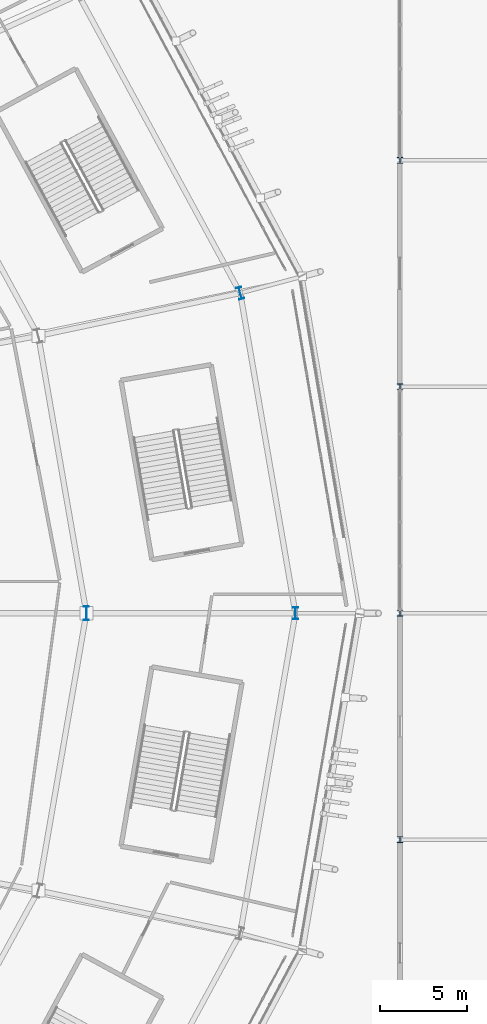
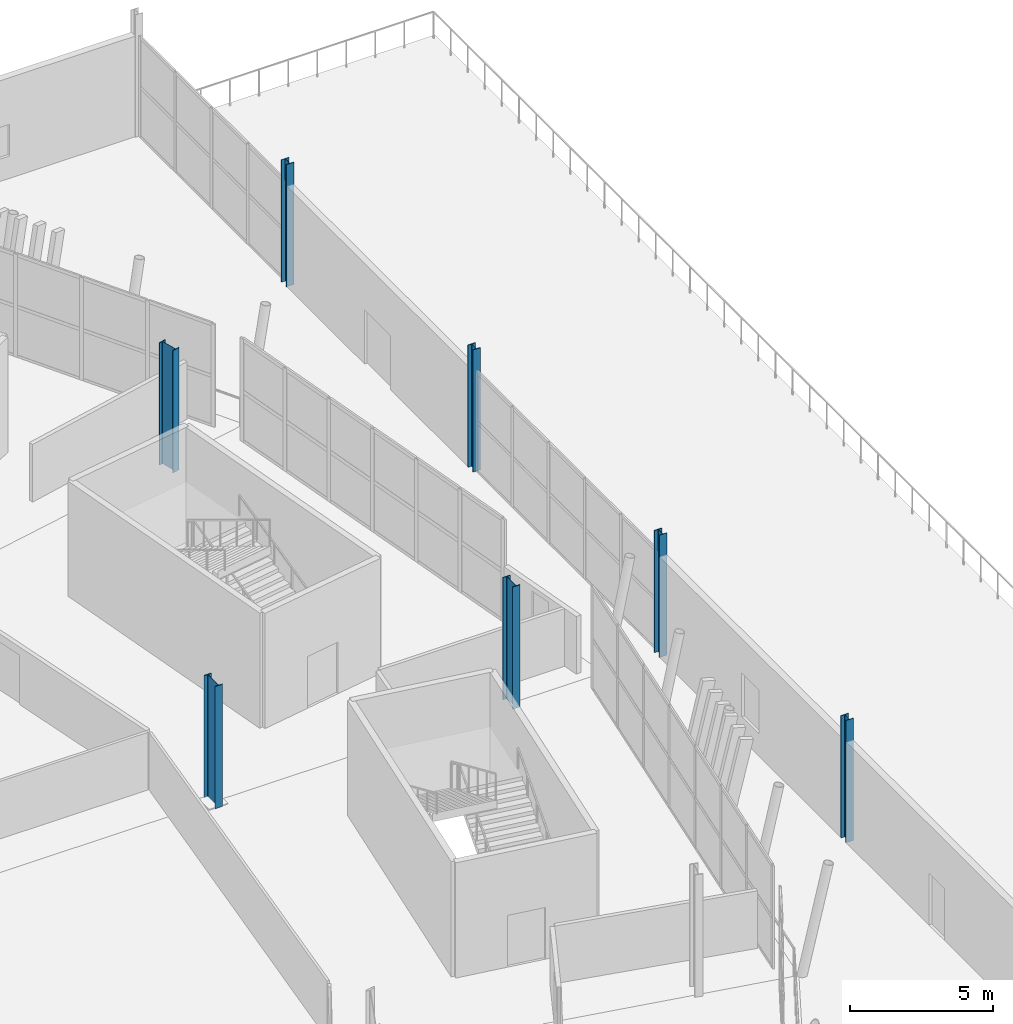
# One storey, part 14 of 168: 7 columns.
"""IFC4 building model written with IfcOpenShell, lengths in metres."""

import ifcopenshell
import ifcopenshell.guid

model = None  # the IFC model being written
_history = None  # IfcOwnerHistory: only IFC2X3 demands one
_inside = {}  # id of a spatial element -> (the spatial element, [elements in it])
_under = {}  # id of a project, library or spatial element -> (it, [spatial elements below it])
_declared = {}  # id of a project -> (the project, [libraries it declares])
_typed = {}  # id of a type object -> (the type object, [elements of that type])
_made_of = {}  # id of a material, layer set ... -> (it, [elements and type objects made of it])


def new_model(schema):
    """Start an empty IFC model of exactly this schema.

    Asked for "IFC4X3", IfcOpenShell would pick the latest addendum, in which some entities
    have other attributes; the version numbers below select the first issue.
    IFC2X3 requires an IfcOwnerHistory on every rooted entity: one is made here for all.
    """
    global model, _history
    if schema == "IFC4X3":
        model = ifcopenshell.file(schema_version=(4, 3, 0, 0))
    else:
        model = ifcopenshell.file(schema=schema)
    _inside.clear()
    _under.clear()
    _declared.clear()
    _typed.clear()
    _made_of.clear()
    _history = None
    if model.schema == "IFC2X3":
        org = make("IfcOrganization", Name="unknown")
        user = make(
            "IfcPersonAndOrganization",
            ThePerson=make("IfcPerson", FamilyName="unknown"),
            TheOrganization=org,
        )
        app = make(
            "IfcApplication",
            ApplicationDeveloper=org,
            Version="unknown",
            ApplicationFullName="unknown",
            ApplicationIdentifier="unknown",
        )
        _history = make(
            "IfcOwnerHistory",
            OwningUser=user,
            OwningApplication=app,
            ChangeAction="ADDED",
            CreationDate=0,
        )
    return model


def make(cls, **values):
    """One entity of the class cls with the attributes given. An attribute that is None is left unset."""
    return model.create_entity(
        cls, **{name: value for name, value in values.items() if value is not None}
    )


def rooted(cls, **values):
    """An entity with a GlobalId (a new one), such as an element, a storey or a relation."""
    return make(cls, GlobalId=ifcopenshell.guid.new(), OwnerHistory=_history, **values)


def si_unit(unit_type, name, prefix=None):
    """IfcSIUnit, for example si_unit("LENGTHUNIT", "METRE", prefix="MILLI")."""
    return make("IfcSIUnit", UnitType=unit_type, Prefix=prefix, Name=name)


def assignment(units):
    """IfcUnitAssignment: the units of a project."""
    return None if units is None else make("IfcUnitAssignment", Units=units)


def point(xyz):
    """IfcCartesianPoint."""
    return None if xyz is None else make("IfcCartesianPoint", Coordinates=xyz)


def direction(xyz):
    """IfcDirection."""
    return None if xyz is None else make("IfcDirection", DirectionRatios=xyz)


def frame(location, z_axis=None, x_axis=None):
    """IfcAxis2Placement3D, a coordinate frame: its origin and axes. An axis left out is left unset."""
    return make(
        "IfcAxis2Placement3D",
        Location=point(location),
        Axis=direction(z_axis),
        RefDirection=direction(x_axis),
    )


def frame_2d(location, x_axis=None):
    """IfcAxis2Placement2D, a coordinate frame in the plane: its origin and x axis."""
    return make(
        "IfcAxis2Placement2D", Location=point(location), RefDirection=direction(x_axis)
    )


def origin():
    """The frame at (0, 0, 0) with its axes left unset."""
    return frame((0.0, 0.0, 0.0))


def origin_2d():
    """The frame at (0, 0) in the plane with its x axis left unset."""
    return frame_2d((0.0, 0.0))


def place(relative_to, where):
    """IfcLocalPlacement: puts the frame where relative to a parent placement (None: the world)."""
    return make(
        "IfcLocalPlacement", PlacementRelTo=relative_to, RelativePlacement=where
    )


def context(
    kind, dimensions, precision=None, world=None, true_north=None, identifier=None
):
    """IfcGeometricRepresentationContext, for example the 3D "Model" context."""
    return make(
        "IfcGeometricRepresentationContext",
        ContextIdentifier=identifier,
        ContextType=kind,
        CoordinateSpaceDimension=dimensions,
        Precision=precision,
        WorldCoordinateSystem=world,
        TrueNorth=true_north,
    )


def subcontext(parent, identifier, kind, view, scale=None):
    """IfcGeometricRepresentationSubContext, for example "Body" below "Model"."""
    return make(
        "IfcGeometricRepresentationSubContext",
        ContextIdentifier=identifier,
        ContextType=kind,
        ParentContext=parent,
        TargetScale=scale,
        TargetView=view,
    )


def project(units=None, contexts=None):
    """IfcProject with its units and contexts."""
    return rooted(
        "IfcProject",
        Name="project",
        RepresentationContexts=contexts,
        UnitsInContext=assignment(units),
    )


def spatial(cls, under=None, at=None, **own):
    """A site, building, storey or space (cls), placed at a placement, below another one or the project."""
    s = rooted(cls, ObjectPlacement=at, **own)
    if under is not None:
        _under.setdefault(under.id(), (under, []))[1].append(s)
    return s


def profile(cls, at=None, kind="AREA", **sizes):
    """A parametric profile (cls). Its sizes go by their IFC names, for example OverallWidth=200.0."""
    return make(cls, ProfileType=kind, Position=at, **sizes)


def i_section(**sizes):
    """IfcIShapeProfileDef."""
    return profile("IfcIShapeProfileDef", **sizes)


def extrude(swept, where, along, depth):
    """IfcExtrudedAreaSolid: the profile swept, set in the frame where, extruded along a direction by depth."""
    return make(
        "IfcExtrudedAreaSolid",
        SweptArea=swept,
        Position=where,
        ExtrudedDirection=direction(along),
        Depth=depth,
    )


def shape(context_of_items, identifier, shape_type, items):
    """IfcShapeRepresentation: the items that make up one representation, for example the "Body"."""
    return make(
        "IfcShapeRepresentation",
        ContextOfItems=context_of_items,
        RepresentationIdentifier=identifier,
        RepresentationType=shape_type,
        Items=items,
    )


def material(Name=None, Category=None):
    """IfcMaterial."""
    return make("IfcMaterial", Name=Name, Category=Category)


def material_profile(
    of_material, cross_section, Name=None, Category=None, Priority=None
):
    """IfcMaterialProfile: a cross section and its material."""
    return make(
        "IfcMaterialProfile",
        Name=Name,
        Material=of_material,
        Profile=cross_section,
        Priority=Priority,
        Category=Category,
    )


def profile_set(profiles, Name=None, composite=None):
    """IfcMaterialProfileSet."""
    return make(
        "IfcMaterialProfileSet",
        Name=Name,
        MaterialProfiles=profiles,
        CompositeProfile=composite,
    )


def made_of(thing, what):
    """Note that an element or type object is made of a material, layer set ...; save() writes the relation."""
    if what is not None:
        _made_of.setdefault(what.id(), (what, []))[1].append(thing)
    return thing


def type_object(cls, material=None, **own):
    """A type object (cls), such as IfcWallType, which elements share."""
    return made_of(rooted(cls, **own), material)


def element(
    cls,
    number,
    at=None,
    inside=None,
    cuts=None,
    type_object=None,
    material=None,
    context=None,
    identifier="Body",
    shape_type=None,
    held_by="IfcProductDefinitionShape",
    body=None,
    shapes=None,
    **own,
):
    """One element of the class cls, such as IfcWall. Its Tag is "e" and its number.

    at: its placement. inside: the storey or other place that contains it. cuts: it is an
    opening in that element (IfcRelVoidsElement). A single representation is given by context,
    identifier, shape_type and body (its items); several are given by shapes. held_by: the class
    of the entity that holds the representations. save() writes the other relations.
    """
    e = rooted(cls, Tag="e%d" % number, ObjectPlacement=at, **own)
    if body is not None:
        shapes = [shape(context, identifier, shape_type, body)]
    if shapes is not None:
        e.Representation = make(held_by, Representations=shapes)
    if inside is not None:
        _inside.setdefault(inside.id(), (inside, []))[1].append(e)
    if cuts is not None:
        rooted(
            "IfcRelVoidsElement", RelatingBuildingElement=cuts, RelatedOpeningElement=e
        )
    if type_object is not None:
        _typed.setdefault(type_object.id(), (type_object, []))[1].append(e)
    return made_of(e, material)


def aggregate(whole, parts):
    """IfcRelAggregates: a whole, such as a stair, and the parts it consists of."""
    return rooted("IfcRelAggregates", RelatingObject=whole, RelatedObjects=parts)


def save(model, path):
    """Write the relations noted so far, then the file.

    IfcRelAggregates (storeys below a building ...), IfcRelContainedInSpatialStructure (elements
    in a storey), IfcRelDefinesByType, IfcRelAssociatesMaterial and IfcRelDeclares: one each for
    every whole, place, type object, material and project.
    """
    for whole, parts in _under.values():
        aggregate(whole, parts)
    for where, things in _inside.values():
        rooted(
            "IfcRelContainedInSpatialStructure",
            RelatedElements=things,
            RelatingStructure=where,
        )
    for kind, things in _typed.values():
        rooted("IfcRelDefinesByType", RelatedObjects=things, RelatingType=kind)
    for what, things in _made_of.values():
        rooted("IfcRelAssociatesMaterial", RelatedObjects=things, RelatingMaterial=what)
    for by, libraries in _declared.values():
        rooted("IfcRelDeclares", RelatingContext=by, RelatedDefinitions=libraries)
    model.write(path)


model = new_model("IFC4")

# Units and contexts
model_context = context("Model", 3, precision=1e-05, world=origin(), true_north=direction((0.0, 1.0)))
body_context = subcontext(model_context, "Body", "Model", "MODEL_VIEW")
ifc_project = project(units=[si_unit("LENGTHUNIT", "METRE"), si_unit("AREAUNIT", "SQUARE_METRE"), si_unit("VOLUMEUNIT", "CUBIC_METRE"), si_unit("PLANEANGLEUNIT", "RADIAN"), si_unit("MASSUNIT", "GRAM", prefix="KILO")], contexts=[model_context])

# Site, building, storey
site_placement = place(None, origin())
site = spatial("IfcSite", under=ifc_project, at=site_placement, CompositionType="ELEMENT")
building_placement = place(site_placement, origin())
building = spatial("IfcBuilding", under=site, at=building_placement, Name="Zlatoyarsky Gate Stadium", CompositionType="ELEMENT")
storey_placement = place(building_placement, frame((0.0, 0.0, 15.60009765625)))
storey = spatial("IfcBuildingStorey", under=building, at=storey_placement, Name="L03", CompositionType="ELEMENT", Elevation=15.60009765625)

# Columns
ifc_material = material(Name="Steel S355", Category="steel")
ifc_material_profile_1 = material_profile(ifc_material, i_section(OverallWidth=0.300048828125, OverallDepth=0.360107421875, WebThickness=0.012451171875, FlangeThickness=0.0224609375, FilletRadius=0.027099609375, at=origin_2d()), Name="HEB 360")
ifc_profile_set_1 = profile_set([ifc_material_profile_1], Name="Steel S355")
column_type_1 = type_object("IfcColumnType", Name="STEEL COLUMN HEB 360", PredefinedType="COLUMN", material=ifc_profile_set_1)
for number, where, z_axis, x_axis, name in (
    (1, (210.0, 67.0, 0.0), (0.0, 0.0, 1.0), (1.0, 0.0, 0.0), "Column ST-C360 WG-18-G on L03"),
    (2, (210.0, 80.0, 0.0), (0.0, 0.0, 1.0), (1.0, 0.0, 0.0), "Column ST-C360 WG-18-H on L03"),
    (3, (210.0, 93.0, 0.0), (0.0, 0.0, 1.0), (1.0, 0.0, 0.0), "Column ST-C360 WG-18-J on L03"),
    (4, (210.0, 106.0, 0.0), (0.0, 0.0, 1.0), (1.0, 0.0, 0.0), "Column ST-C360 WG-18-K on L03"),
):
    element("IfcColumn", number, at=place(storey_placement, frame(where, z_axis=z_axis, x_axis=x_axis)), inside=storey, type_object=column_type_1, Name=name, PredefinedType="COLUMN", context=body_context, shape_type="SweptSolid", body=[
        extrude(i_section(OverallWidth=0.300048828125, OverallDepth=0.360107421875, WebThickness=0.012451171875, FlangeThickness=0.0224609375, FilletRadius=0.027099609375, at=origin_2d()), origin(), (0.0, 0.0, 1.0), 5.199951171875),
    ])
ifc_material_profile_2 = material_profile(ifc_material, i_section(OverallWidth=0.300048828125, OverallDepth=0.699951171875, WebThickness=0.01708984375, FlangeThickness=0.031982421875, FilletRadius=0.027099609375, at=origin_2d()), Name="HEB 700")
ifc_profile_set_2 = profile_set([ifc_material_profile_2], Name="Steel S355")
column_type_2 = type_object("IfcColumnType", Name="STEEL COLUMN HEB 700", PredefinedType="COLUMN", material=ifc_profile_set_2)
for number, where, z_axis, x_axis, name in (
    (5, (204.0, 80.0, 0.0), (0.0, 0.0, 1.0), (1.0, 0.0, 0.0), "Column ST-C700 RC-00 on L03"),
    (6, (200.8310546875, 98.376220703125, 0.0), (0.0, 0.0, 1.0), (0.965925826289, 0.258819045103, 0.0), "Column ST-C700 RC-01 on L03"),
):
    element("IfcColumn", number, at=place(storey_placement, frame(where, z_axis=z_axis, x_axis=x_axis)), inside=storey, type_object=column_type_2, Name=name, PredefinedType="COLUMN", context=body_context, shape_type="SweptSolid", body=[
        extrude(i_section(OverallWidth=0.300048828125, OverallDepth=0.699951171875, WebThickness=0.01708984375, FlangeThickness=0.031982421875, FilletRadius=0.027099609375, at=origin_2d()), origin(), (0.0, 0.0, 1.0), 5.199951171875),
    ])
ifc_material_profile_3 = material_profile(ifc_material, i_section(OverallWidth=0.300048828125, OverallDepth=0.800048828125, WebThickness=0.017578125, FlangeThickness=0.032958984375, FilletRadius=0.030029296875, at=origin_2d()), Name="HEB 800")
ifc_profile_set_3 = profile_set([ifc_material_profile_3], Name="Steel S355")
column_type_3 = type_object("IfcColumnType", Name="STEEL COLUMN HEB 800", PredefinedType="COLUMN", material=ifc_profile_set_3)
column_placement = place(storey_placement, frame((192.0, 80.0, 0.0), z_axis=(0.0, 0.0, 1.0), x_axis=(1.0, 0.0, 0.0)))
element("IfcColumn", 7, at=column_placement, inside=storey, type_object=column_type_3, Name="Column ST-C800 RB-00 on L03", PredefinedType="COLUMN", context=body_context, shape_type="SweptSolid", body=[
    extrude(i_section(OverallWidth=0.300048828125, OverallDepth=0.800048828125, WebThickness=0.017578125, FlangeThickness=0.032958984375, FilletRadius=0.030029296875, at=origin_2d()), origin(), (0.0, 0.0, 1.0), 5.199951171875),
])

save(model, "model.ifc")
